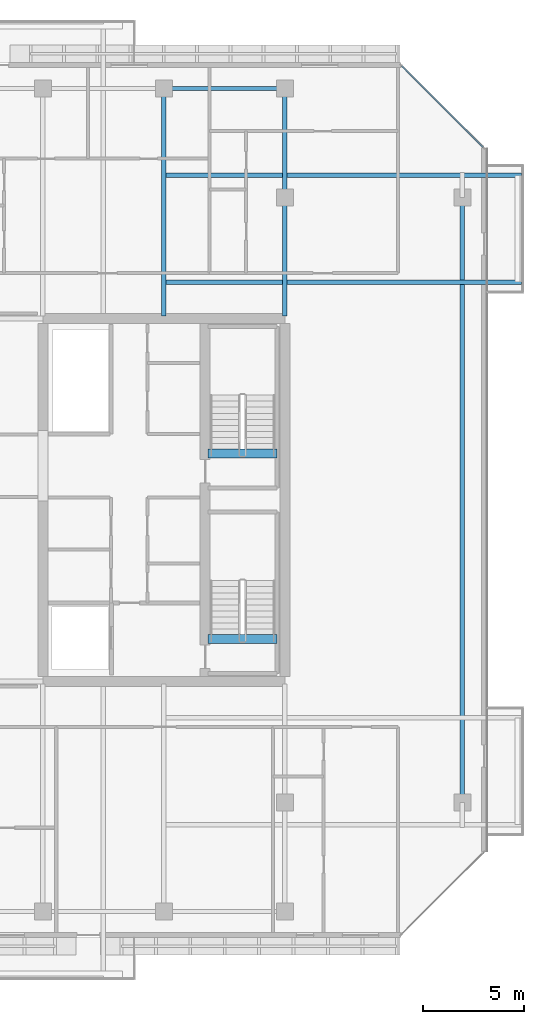
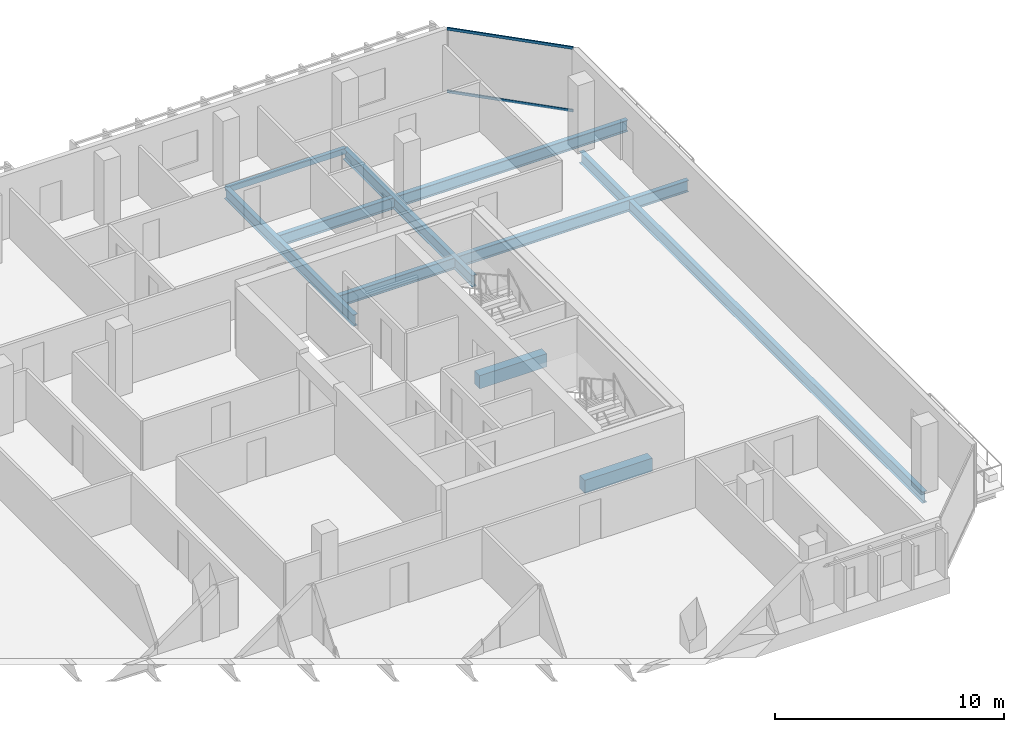
# One storey, part 16 of 30: 8 beams, 2 members, 1 element without a shape of its own.
"""IFC4 building model written with IfcOpenShell, lengths in metres."""

from ifc_helpers import new_model, si_unit, direction, frame, origin, origin_2d, place, context, subcontext, project, spatial, rectangle, hollow_rectangle, i_section, extrude, material, layer, layer_set, material_profile, profile_set, type_object, element, aggregate, save


model = new_model("IFC4")

# Units and contexts
model_context = context("Model", 3, precision=1e-05, world=origin(), true_north=direction((0.0, 1.0)))
body_context = subcontext(model_context, "Body", "Model", "MODEL_VIEW")
ifc_project = project(units=[si_unit("LENGTHUNIT", "METRE"), si_unit("AREAUNIT", "SQUARE_METRE"), si_unit("VOLUMEUNIT", "CUBIC_METRE"), si_unit("PLANEANGLEUNIT", "RADIAN"), si_unit("MASSUNIT", "GRAM", prefix="KILO")], contexts=[model_context])

# Site, building, storey
site_placement = place(None, origin())
site = spatial("IfcSite", under=ifc_project, at=site_placement, CompositionType="ELEMENT")
building_placement = place(site_placement, origin())
building = spatial("IfcBuilding", under=site, at=building_placement, Name="Tanjung Sevakor Pilgrim Tower", CompositionType="ELEMENT")
storey_placement = place(building_placement, frame((0.0, 0.0, 165.659912109375)))
storey = spatial("IfcBuildingStorey", under=building, at=storey_placement, Name="L46", CompositionType="ELEMENT", Elevation=165.659912109375)

# Beams
ifc_material_1 = material(Name="Steel S355J2", Category="steel")
ifc_material_profile_1 = material_profile(ifc_material_1, i_section(OverallWidth=0.22900390625, OverallDepth=0.6123046875, WebThickness=0.011962890625, FlangeThickness=0.01953125, FilletRadius=0.0126953125, at=origin_2d()))
ifc_profile_set_1 = profile_set([ifc_material_profile_1], Name="Steel S355J2")
beam_type_1 = type_object("IfcBeamType", Name="BM-B-G4-UB_610x229x125", PredefinedType="BEAM", material=ifc_profile_set_1)
beam_1_placement = place(storey_placement, frame((98.800048828125, 18.60009765625, -0.526123046875), z_axis=(0.0, 1.0, 0.0), x_axis=(-1.0, 0.0, 0.0)))
element("IfcBeam", 1, at=beam_1_placement, inside=storey, type_object=beam_type_1, Name="L46 Short-End Edge Girder E", PredefinedType="BEAM", context=body_context, shape_type="SweptSolid", body=[
    extrude(i_section(OverallWidth=0.22900390625, OverallDepth=0.6123046875, WebThickness=0.011962890625, FlangeThickness=0.01953125, FilletRadius=0.0126953125, at=origin_2d()), origin(), (0.0, 0.0, 1.0), 30.0),
])
for number, where, z_axis, x_axis, name in (
    (2, (84.0, 44.39990234375, -0.526123046875), (1.0, 0.0, 0.0), (0.0, 1.0, 0.0), "L46 Balcony Overhanging Beam MAIN-E2-1"),
    (3, (84.0, 49.699951171875, -0.526123046875), (1.0, 0.0, 0.0), (0.0, 1.0, 0.0), "L46 Balcony Overhanging Beam MAIN-E2-2"),
):
    element("IfcBeam", number, at=place(storey_placement, frame(where, z_axis=z_axis, x_axis=x_axis)), inside=storey, type_object=beam_type_1, Name=name, PredefinedType="BEAM", context=body_context, shape_type="SweptSolid", body=[
        extrude(i_section(OverallWidth=0.22900390625, OverallDepth=0.6123046875, WebThickness=0.011962890625, FlangeThickness=0.01953125, FilletRadius=0.0126953125, at=origin_2d()), origin(), (0.0, 0.0, 1.0), 17.72998046875),
    ])
for number, where, z_axis, x_axis, name in (
    (4, (84.0, 42.715087890625, -0.526123046875), (0.0, 1.0, 0.0), (-1.0, 0.0, 0.0), "L46 MAIN Girder 024"),
    (5, (90.0, 42.715087890625, -0.526123046875), (0.0, 1.0, 0.0), (-1.0, 0.0, 0.0), "L46 MAIN Girder 026"),
):
    element("IfcBeam", number, at=place(storey_placement, frame(where, z_axis=z_axis, x_axis=x_axis)), inside=storey, type_object=beam_type_1, Name=name, PredefinedType="BEAM", context=body_context, shape_type="SweptSolid", body=[
        extrude(i_section(OverallWidth=0.22900390625, OverallDepth=0.6123046875, WebThickness=0.011962890625, FlangeThickness=0.01953125, FilletRadius=0.0126953125, at=origin_2d()), origin(), (0.0, 0.0, 1.0), 11.284912109375),
    ])
ifc_material_2 = material(Name="Concrete C60/75", Category="concrete")
ifc_material_profile_2 = material_profile(ifc_material_2, rectangle(XDim=0.449951171875, YDim=0.699951171875, at=origin_2d()))
ifc_profile_set_2 = profile_set([ifc_material_profile_2], Name="Concrete C60/75")
beam_type_2 = type_object("IfcBeamType", Name="BM-B-LN3-RC-BM_450x700", PredefinedType="LINTEL", material=ifc_profile_set_2)
for number, where, z_axis, x_axis, name in (
    (6, (86.199951171875, 26.699951171875, -0.349853515625), (1.0, 0.0, 0.0), (0.0, 1.0, 0.0), "L46 TS-E1 Stair Threshold Beam"),
    (7, (86.199951171875, 35.89990234375, -0.349853515625), (1.0, 0.0, 0.0), (0.0, 1.0, 0.0), "L46 TS-E2 Stair Threshold Beam"),
):
    element("IfcBeam", number, at=place(storey_placement, frame(where, z_axis=z_axis, x_axis=x_axis)), inside=storey, type_object=beam_type_2, Name=name, PredefinedType="LINTEL", context=body_context, shape_type="SweptSolid", body=[
        extrude(rectangle(XDim=0.449951171875, YDim=0.699951171875, at=origin_2d()), origin(), (0.0, 0.0, 1.0), 3.400146484375),
    ])
ifc_material_3 = material(Name="Steel S355J2", Category="steel")
ifc_material_profile_3 = material_profile(ifc_material_3, hollow_rectangle(XDim=0.199951171875, YDim=0.300048828125, WallThickness=0.012451171875, at=origin_2d()))
ifc_profile_set_3 = profile_set([ifc_material_profile_3], Name="Steel S355J2")
beam_type_3 = type_object("IfcBeamType", Name="BM-B-SP3-RHS_300x200x12.5", PredefinedType="SPANDREL", material=ifc_profile_set_3)
beam_2_placement = place(storey_placement, frame((84.0, 54.0, -0.369873046875), z_axis=(1.0, 0.0, 0.0), x_axis=(0.0, 1.0, 0.0)))
element("IfcBeam", 8, at=beam_2_placement, inside=storey, type_object=beam_type_3, Name="L46 Spandrel MAIN N-18", PredefinedType="SPANDREL", context=body_context, shape_type="SweptSolid", body=[
    extrude(hollow_rectangle(XDim=0.199951171875, YDim=0.300048828125, WallThickness=0.012451171875, at=origin_2d()), origin(), (0.0, 0.0, 1.0), 6.0),
])

# Curtain wall, members
ifc_material_4 = material(Name="Aluminium 6063-T6 and Low-E Glass", Category="aluminium")
ifc_layer = layer(ifc_material_4, 0.179931640625)
ifc_layer_set = layer_set([ifc_layer], Name="CW-SYS-CHAM")
curtain_wall_type = type_object("IfcCurtainWallType", Name="CW-SYS-CHAM", PredefinedType="NOTDEFINED", material=ifc_layer_set)
curtain_wall_placement = place(storey_placement, origin())
curtain_wall = element("IfcCurtainWall", 9, at=curtain_wall_placement, inside=storey, type_object=curtain_wall_type, Name="L46 Curtain Wall CW-CHM-L46-MAIN-7", PredefinedType="NOTDEFINED")
ifc_material_5 = material(Name="Aluminium 6063-T6", Category="aluminium")
ifc_material_profile_4 = material_profile(ifc_material_5, hollow_rectangle(XDim=0.06494140625, YDim=0.139892578125, WallThickness=0.00390625, at=origin_2d()))
ifc_profile_set_4 = profile_set([ifc_material_profile_4], Name="Aluminium 6063-T6")
member_type = type_object("IfcMemberType", Name="TYPE-CWT-1", PredefinedType="USERDEFINED", material=ifc_profile_set_4)
member_1_placement = place(storey_placement, frame((99.8291015625, 51.09423828125, 0.032470703125), z_axis=(-0.707106781187, 0.707106781187, 0.0), x_axis=(-0.707106781187, -0.707106781187, 0.0)))
member_1 = element("IfcMember", 10, at=member_1_placement, type_object=member_type, Name="CW-CHM transom 1.1", ObjectType="TRANSOM", PredefinedType="USERDEFINED", context=body_context, shape_type="SweptSolid", body=[
    extrude(hollow_rectangle(XDim=0.06494140625, YDim=0.139892578125, WallThickness=0.00390625, at=origin_2d()), origin(), (0.0, 0.0, 1.0), 5.706298828125),
])
member_2_placement = place(storey_placement, frame((99.8291015625, 51.09423828125, 3.377685546875), z_axis=(-0.707106781187, 0.707106781187, 0.0), x_axis=(-0.707106781187, -0.707106781187, 0.0)))
member_2 = element("IfcMember", 11, at=member_2_placement, type_object=member_type, Name="CW-CHM transom 1.2", ObjectType="TRANSOM", PredefinedType="USERDEFINED", context=body_context, shape_type="SweptSolid", body=[
    extrude(hollow_rectangle(XDim=0.06494140625, YDim=0.139892578125, WallThickness=0.00390625, at=origin_2d()), origin(), (0.0, 0.0, 1.0), 5.706298828125),
])
aggregate(curtain_wall, [member_1, member_2])

save(model, "model.ifc")
